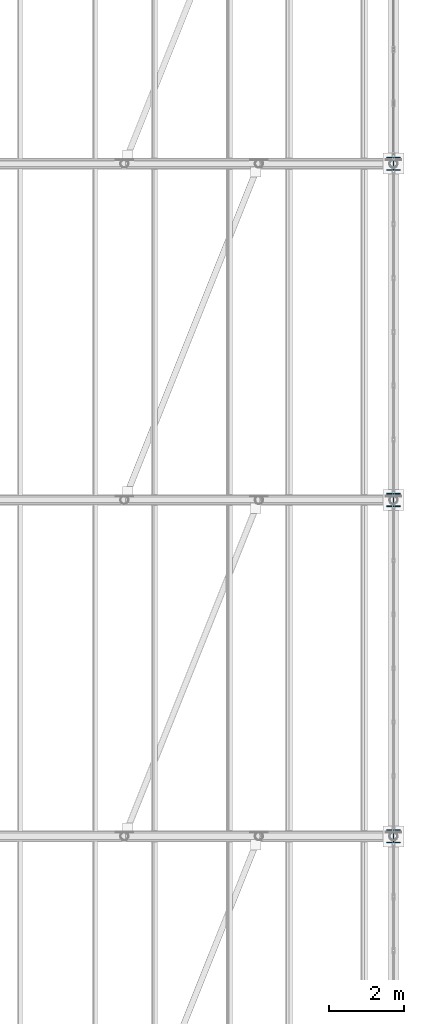
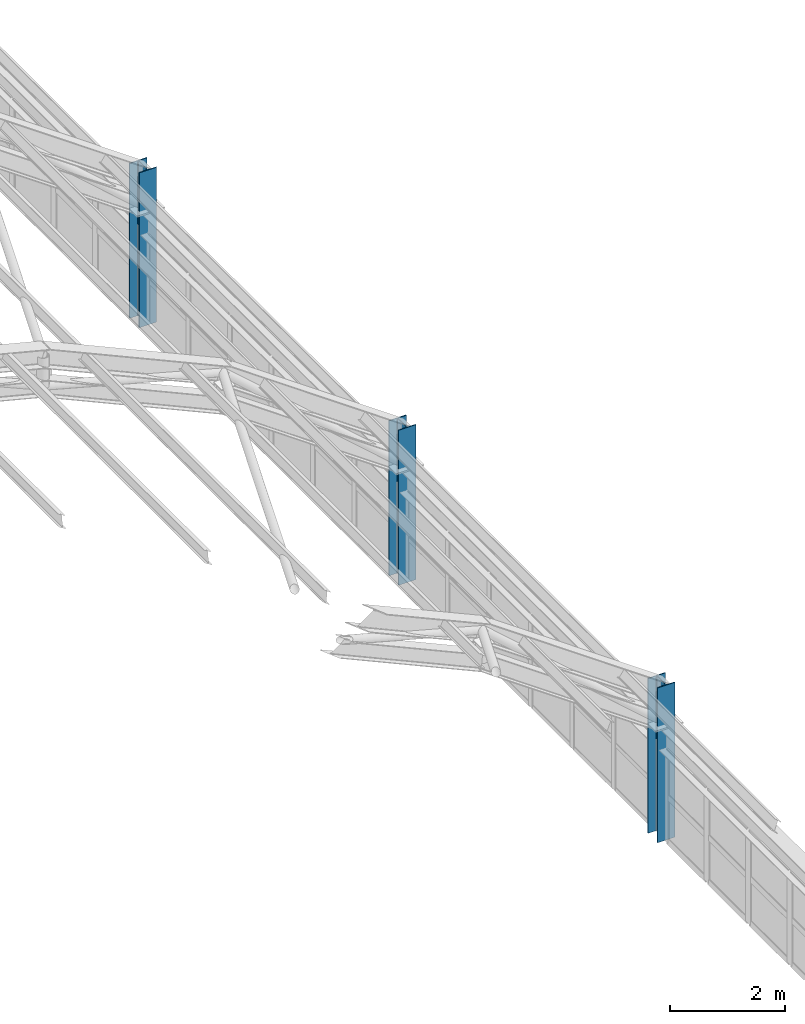
# One storey, part 4 of 121: 3 columns.
"""IFC4 building model written with IfcOpenShell, lengths in metres."""

from ifc_helpers import new_model, si_unit, direction, frame, origin, origin_2d, place, context, subcontext, project, spatial, i_section, extrude, material, material_profile, profile_set, type_object, element, save


model = new_model("IFC4")

# Units and contexts
model_context = context("Model", 3, precision=1e-05, world=origin(), true_north=direction((0.0, 1.0)))
body_context = subcontext(model_context, "Body", "Model", "MODEL_VIEW")
ifc_project = project(units=[si_unit("LENGTHUNIT", "METRE"), si_unit("AREAUNIT", "SQUARE_METRE"), si_unit("VOLUMEUNIT", "CUBIC_METRE"), si_unit("PLANEANGLEUNIT", "RADIAN"), si_unit("MASSUNIT", "GRAM", prefix="KILO")], contexts=[model_context])

# Site, building, storey
site_placement = place(None, origin())
site = spatial("IfcSite", under=ifc_project, at=site_placement, CompositionType="ELEMENT")
building_placement = place(site_placement, origin())
building = spatial("IfcBuilding", under=site, at=building_placement, Name="Canglan Escarpment Cableway Terminal", CompositionType="ELEMENT")
storey_placement = place(building_placement, frame((0.0, 0.0, 24.60009765625)))
storey = spatial("IfcBuildingStorey", under=building, at=storey_placement, Name="L05", CompositionType="ELEMENT", Elevation=24.60009765625)

# Columns
ifc_material = material(Name="Steel Q355C", Category="steel")
ifc_material_profile = material_profile(ifc_material, i_section(OverallWidth=0.35009765625, OverallDepth=0.35009765625, WebThickness=0.011962890625, FlangeThickness=0.01904296875, FilletRadius=0.02001953125, at=origin_2d()), Name="HW 350x350x12x19")
ifc_profile_set = profile_set([ifc_material_profile], Name="Steel Q355C")
column_type = type_object("IfcColumnType", Name="COL-HW350-Q355C", PredefinedType="COLUMN", material=ifc_profile_set)
for number, where, z_axis, x_axis, name in (
    (1, (166.39990234375, 79.0, 0.0), (0.0, 0.0, 1.0), (1.0, 0.0, 0.0), "Structural column C-09"),
    (2, (166.39990234375, 88.0, 0.0), (0.0, 0.0, 1.0), (1.0, 0.0, 0.0), "Structural column C-09"),
    (3, (166.39990234375, 97.0, 0.0), (0.0, 0.0, 1.0), (1.0, 0.0, 0.0), "Structural column C-09"),
):
    element("IfcColumn", number, at=place(storey_placement, frame(where, z_axis=z_axis, x_axis=x_axis)), inside=storey, type_object=column_type, Name=name, PredefinedType="COLUMN", context=body_context, shape_type="SweptSolid", body=[
        extrude(i_section(OverallWidth=0.35009765625, OverallDepth=0.35009765625, WebThickness=0.011962890625, FlangeThickness=0.01904296875, FilletRadius=0.02001953125, at=origin_2d()), origin(), (0.0, 0.0, 1.0), 3.282470703125),
    ])

save(model, "model.ifc")
